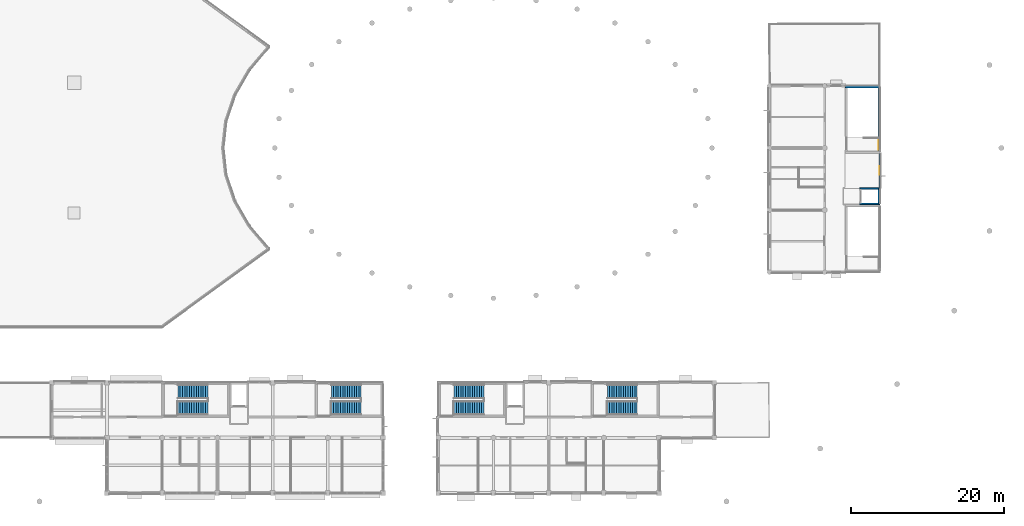
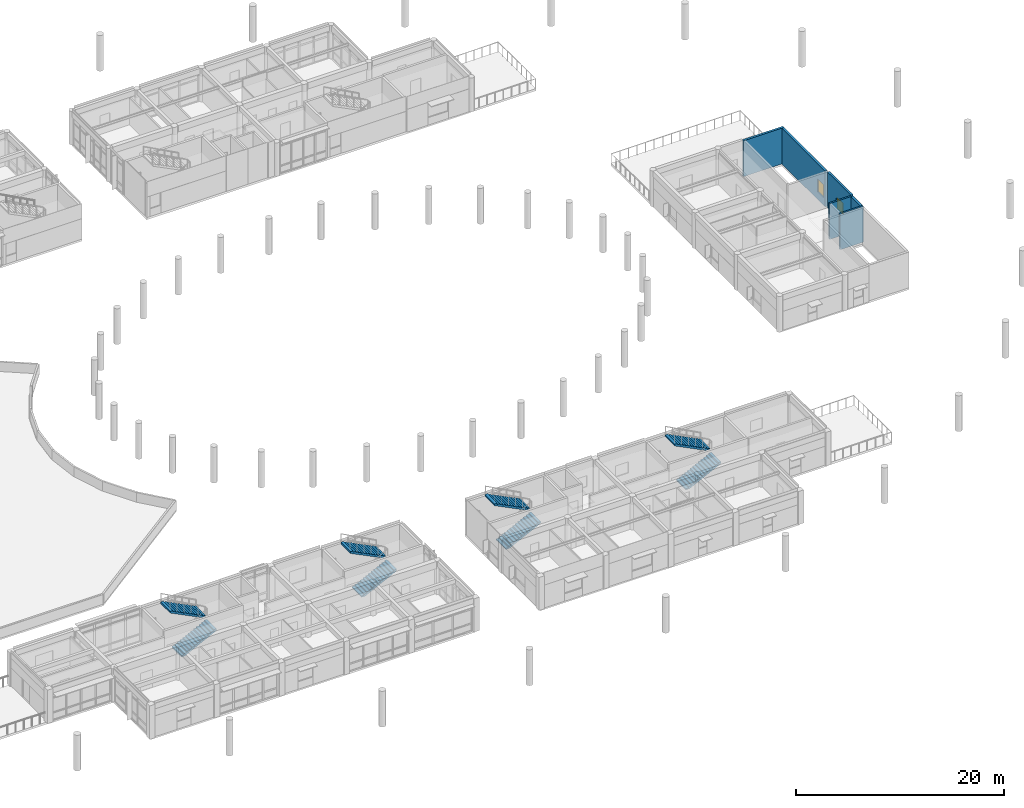
# One storey, part 30 of 55: 8 stair flights, 6 walls, 2 windows, 2 openings, 4 elements without a shape of their own.
"""IFC4 building model written with IfcOpenShell, lengths in metres."""

from ifc_helpers import new_model, si_unit, direction, frame, frame_2d, origin, place, context, subcontext, project, spatial, polyline, rectangle, outline, extrude, material, layer, layer_set, type_object, element, fill, aggregate, save


model = new_model("IFC4")

# Units and contexts
model_context = context("Model", 3, precision=1e-05, world=origin(), true_north=direction((0.0, 1.0)))
body_context = subcontext(model_context, "Body", "Model", "MODEL_VIEW")
ifc_project = project(units=[si_unit("LENGTHUNIT", "METRE"), si_unit("AREAUNIT", "SQUARE_METRE"), si_unit("VOLUMEUNIT", "CUBIC_METRE"), si_unit("PLANEANGLEUNIT", "RADIAN"), si_unit("MASSUNIT", "GRAM", prefix="KILO")], contexts=[model_context])

# Site, building, storey
site_placement = place(None, origin())
site = spatial("IfcSite", under=ifc_project, at=site_placement, CompositionType="ELEMENT")
building_placement = place(site_placement, origin())
building = spatial("IfcBuilding", under=site, at=building_placement, Name="Namkhue Oval Health Centre", CompositionType="ELEMENT")
storey_placement = place(building_placement, frame((0.0, 0.0, 9.60009765625)))
storey = spatial("IfcBuildingStorey", under=building, at=storey_placement, Name="L02", CompositionType="ELEMENT", Elevation=9.60009765625)

# Wall, opening, window
ifc_material_1 = material(Name="Autoclaved aerated concrete blockwork M7.5", Category="masonry")
ifc_layer_1 = layer(ifc_material_1, 0.239990234375)
ifc_layer_set_1 = layer_set([ifc_layer_1], Name="Autoclaved aerated concrete blockwork M7.5")
wall_type_1 = type_object("IfcWallType", Name="EXTERIOR ENVELOPE WALL 240", PredefinedType="STANDARD", material=ifc_layer_set_1)
wall_1_placement = place(storey_placement, frame((151.199951171875, 54.201904296875, 0.0), z_axis=(0.0, 0.0, 1.0), x_axis=(0.0, 1.0, 0.0)))
wall_1 = element("IfcWall", 1, at=wall_1_placement, inside=storey, type_object=wall_type_1, Name="Volume V6 L02 Exterior Envelope Wall 183", PredefinedType="STANDARD", context=body_context, shape_type="SweptSolid", body=[
    extrude(rectangle(XDim=4.49609375, YDim=0.239990234375, at=frame_2d((2.248046875, 0.0))), origin(), (0.0, 0.0, 1.0), 4.199951171875),
])
opening_1_placement = place(wall_1_placement, frame((1.673095703125, 0.0, 0.89990234375)))
opening_1 = element("IfcOpeningElement", 2, at=opening_1_placement, cuts=wall_1, Name="Opening WN-03", PredefinedType="OPENING", context=body_context, shape_type="SweptSolid", body=[
    extrude(rectangle(XDim=1.14990234375, YDim=1.300048828125, at=frame_2d((0.574951171875, 0.64990234375))), frame((0.0, 0.1298828125, 0.0), z_axis=(0.0, -1.0, 0.0), x_axis=(1.0, 0.0, 0.0)), (0.0, 0.0, 1.0), 0.260009765625),
])
ifc_material_2 = material(Name="Thermally broken low-E laminated double glazing", Category="glass")
window_type_1 = type_object("IfcWindowType", Name="EXTERIOR WINDOW 1150X1300", PartitioningType="SINGLE_PANEL", PredefinedType="WINDOW", material=ifc_material_2)
window_1_placement = place(opening_1_placement, origin())
window_1 = element("IfcWindow", 3, at=window_1_placement, inside=storey, type_object=window_type_1, Name="Volume V6 L02 Exterior Window 138", OverallHeight=1.300048828125, OverallWidth=1.14990234375, PartitioningType="SINGLE_PANEL", PredefinedType="WINDOW", context=body_context, shape_type="SweptSolid", body=[
    extrude(rectangle(XDim=1.14990234375, YDim=1.300048828125, at=frame_2d((0.574951171875, 0.64990234375))), frame((0.0, 0.030029296875, 0.0), z_axis=(0.0, -1.0, 0.0), x_axis=(1.0, 0.0, 0.0)), (0.0, 0.0, 1.0), 0.06005859375),
])
fill(opening_1, window_1)

ifc_material_3 = material(Name="Reinforced concrete C35/45 (TCVN B40)", Category="concrete")
ifc_layer_2 = layer(ifc_material_3, 0.25)
ifc_layer_set_2 = layer_set([ifc_layer_2], Name="Reinforced concrete C35/45 (TCVN B40)")
wall_type_2 = type_object("IfcWallType", Name="SHEAR CORE WALL EXT 250", PredefinedType="SHEAR", material=ifc_layer_set_2)
wall_2_placement = place(storey_placement, frame((151.074951171875, 58.949951171875, 0.0), z_axis=(0.0, 0.0, 1.0), x_axis=(0.0, 1.0, 0.0)))
wall_2 = element("IfcWall", 4, at=wall_2_placement, inside=storey, type_object=wall_type_2, Name="Core SC-12 L02 Shear Wall E", PredefinedType="SHEAR", context=body_context, shape_type="SweptSolid", body=[
    extrude(rectangle(XDim=8.300048828125, YDim=0.25, at=frame_2d((4.14990234375, 0.0))), origin(), (0.0, 0.0, 1.0), 4.199951171875),
])
opening_2_placement = place(wall_2_placement, frame((0.25, 0.0, 0.919921875)))
opening_2 = element("IfcOpeningElement", 5, at=opening_2_placement, cuts=wall_2, Name="Opening SWN-01", PredefinedType="OPENING", context=body_context, shape_type="SweptSolid", body=[
    extrude(rectangle(XDim=1.179931640625, YDim=1.47998046875, at=frame_2d((0.58984375, 0.739990234375))), frame((0.0, 0.135009765625, 0.0), z_axis=(0.0, -1.0, 0.0), x_axis=(1.0, 0.0, 0.0)), (0.0, 0.0, 1.0), 0.27001953125),
])
ifc_material_4 = material(Name="Fire-rated insulated safety double glazing", Category="glass")
window_type_2 = type_object("IfcWindowType", Name="EXTERIOR WINDOW STAIRWELL 1180X1480", PartitioningType="SINGLE_PANEL", PredefinedType="WINDOW", material=ifc_material_4)
window_2_placement = place(opening_2_placement, origin())
window_2 = element("IfcWindow", 6, at=window_2_placement, inside=storey, type_object=window_type_2, Name="Stair ST-12 L02 Stairwell Daylight Window", OverallHeight=1.47998046875, OverallWidth=1.179931640625, PartitioningType="SINGLE_PANEL", PredefinedType="WINDOW", context=body_context, shape_type="SweptSolid", body=[
    extrude(rectangle(XDim=1.179931640625, YDim=1.47998046875, at=frame_2d((0.58984375, 0.739990234375))), frame((0.0, 0.030029296875, 0.0), z_axis=(0.0, -1.0, 0.0), x_axis=(1.0, 0.0, 0.0)), (0.0, 0.0, 1.0), 0.06005859375),
])
fill(opening_2, window_2)

# Walls
wall_3_placement = place(storey_placement, frame((151.199951171875, 67.375, 0.0), z_axis=(0.0, 0.0, 1.0), x_axis=(-1.0, 0.0, 0.0)))
element("IfcWall", 7, at=wall_3_placement, inside=storey, type_object=wall_type_2, Name="Core SC-12 L02 Shear Wall N", PredefinedType="SHEAR", context=body_context, shape_type="SweptSolid", body=[
    extrude(rectangle(XDim=4.5, YDim=0.25, at=frame_2d((2.25, 0.0))), origin(), (0.0, 0.0, 1.0), 4.199951171875),
])
wall_4_placement = place(storey_placement, frame((151.10009765625, 52.199951171875, 0.0), z_axis=(0.0, 0.0, 1.0), x_axis=(0.0, 1.0, 0.0)))
element("IfcWall", 8, at=wall_4_placement, inside=storey, type_object=wall_type_2, Name="Lift LF-07 L02 Shaft Wall E", PredefinedType="SHEAR", context=body_context, shape_type="SweptSolid", body=[
    extrude(rectangle(XDim=1.800048828125, YDim=0.25, at=frame_2d((0.89990234375, 0.0))), origin(), (0.0, 0.0, 1.0), 4.199951171875),
])
ifc_layer_3 = layer(ifc_material_3, 0.199951171875)
ifc_layer_set_3 = layer_set([ifc_layer_3], Name="Reinforced concrete C35/45 (TCVN B40)")
wall_type_3 = type_object("IfcWallType", Name="SHEAR CORE WALL INT 200", PredefinedType="SHEAR", material=ifc_layer_set_3)
for number, where, z_axis, x_axis, name in (
    (9, (148.60009765625, 52.10009765625, 0.0), (0.0, 0.0, 1.0), (1.0, 0.0, 0.0), "Lift LF-07 L02 Shaft Wall S"),
    (10, (151.199951171875, 54.10009765625, 0.0), (0.0, 0.0, 1.0), (-1.0, 0.0, 0.0), "Lift LF-07 L02 Shaft Wall N"),
):
    element("IfcWall", number, at=place(storey_placement, frame(where, z_axis=z_axis, x_axis=x_axis)), inside=storey, type_object=wall_type_3, Name=name, PredefinedType="SHEAR", context=body_context, shape_type="SweptSolid", body=[
        extrude(rectangle(XDim=2.599853515625, YDim=0.199951171875, at=frame_2d((1.2998046875, 0.0))), origin(), (0.0, 0.0, 1.0), 4.199951171875),
    ])

# Stair, stair flights
ifc_material_5 = material(Name="Reinforced concrete C30/37 (TCVN B35)", Category="concrete")
stair_type = type_object("IfcStairType", Name="DOGLEG EXIT STAIR H4200", PredefinedType="HALF_TURN_STAIR", material=ifc_material_5)
stair_1_placement = place(storey_placement, origin())
stair_1 = element("IfcStair", 11, at=stair_1_placement, inside=storey, type_object=stair_type, Name="Protected Exit Stair ST-07 L02", PredefinedType="HALF_TURN_STAIR")
stair_flight_type = type_object("IfcStairFlightType", Name="STRAIGHT STAIR FLIGHT 1850", PredefinedType="STRAIGHT", material=ifc_material_5)
stair_flight_1_placement = place(storey_placement, frame((59.64990234375, 25.47509765625, 0.0), z_axis=(0.0, 0.0, 1.0), x_axis=(1.0, 0.0, 0.0)))
stair_flight_1 = element("IfcStairFlight", 12, at=stair_flight_1_placement, type_object=stair_flight_type, Name="ST-07 flight 1", NumberOfRisers=14, NumberOfTreads=13, PredefinedType="STRAIGHT", RiserHeight=0.15, TreadLength=0.3, context=body_context, shape_type="SweptSolid", body=[
    extrude(outline(polyline([(0.0, 0.0), (0.0, 0.14990234375), (0.300048828125, 0.14990234375), (0.300048828125, 0.300048828125), (0.60009765625, 0.300048828125), (0.60009765625, 0.449951171875), (0.89990234375, 0.449951171875), (0.89990234375, 0.60009765625), (1.199951171875, 0.60009765625), (1.199951171875, 0.75), (1.5, 0.75), (1.5, 0.89990234375), (1.800048828125, 0.89990234375), (1.800048828125, 1.050048828125), (2.10009765625, 1.050048828125), (2.10009765625, 1.199951171875), (2.39990234375, 1.199951171875), (2.39990234375, 1.35009765625), (2.699951171875, 1.35009765625), (2.699951171875, 1.5), (3.0, 1.5), (3.0, 1.64990234375), (3.300048828125, 1.64990234375), (3.300048828125, 1.800048828125), (3.60009765625, 1.800048828125), (3.60009765625, 1.949951171875), (3.89990234375, 1.949951171875), (3.89990234375, 2.10009765625), (3.89990234375, 1.748779296875), (0.40234375, 0.0), (0.0, 0.0)])), frame((0.0, 0.925048828125, 0.0), z_axis=(0.0, -1.0, 0.0), x_axis=(1.0, 0.0, 0.0)), (0.0, 0.0, 1.0), 1.85009765625),
])
stair_flight_2_placement = place(storey_placement, frame((63.550048828125, 27.625, 2.099853515625), z_axis=(0.0, 0.0, 1.0), x_axis=(-1.0, 0.0, 0.0)))
stair_flight_2 = element("IfcStairFlight", 13, at=stair_flight_2_placement, type_object=stair_flight_type, Name="ST-07 flight 2", NumberOfRisers=14, NumberOfTreads=13, PredefinedType="STRAIGHT", RiserHeight=0.15, TreadLength=0.3, context=body_context, shape_type="SweptSolid", body=[
    extrude(outline(polyline([(0.0, 0.0), (0.0, 0.14990234375), (0.300048828125, 0.14990234375), (0.300048828125, 0.300048828125), (0.60009765625, 0.300048828125), (0.60009765625, 0.449951171875), (0.89990234375, 0.449951171875), (0.89990234375, 0.60009765625), (1.199951171875, 0.60009765625), (1.199951171875, 0.75), (1.5, 0.75), (1.5, 0.89990234375), (1.800048828125, 0.89990234375), (1.800048828125, 1.050048828125), (2.10009765625, 1.050048828125), (2.10009765625, 1.199951171875), (2.39990234375, 1.199951171875), (2.39990234375, 1.35009765625), (2.699951171875, 1.35009765625), (2.699951171875, 1.5), (3.0, 1.5), (3.0, 1.64990234375), (3.300048828125, 1.64990234375), (3.300048828125, 1.800048828125), (3.60009765625, 1.800048828125), (3.60009765625, 1.949951171875), (3.89990234375, 1.949951171875), (3.89990234375, 2.10009765625), (3.89990234375, 1.748779296875), (0.40234375, 0.0), (0.0, 0.0)])), frame((0.0, 0.925048828125, 0.0), z_axis=(0.0, -1.0, 0.0), x_axis=(1.0, 0.0, 0.0)), (0.0, 0.0, 1.0), 1.85009765625),
])
aggregate(stair_1, [stair_flight_1, stair_flight_2])

stair_2_placement = place(storey_placement, origin())
stair_2 = element("IfcStair", 14, at=stair_2_placement, inside=storey, type_object=stair_type, Name="Protected Exit Stair ST-08 L02", PredefinedType="HALF_TURN_STAIR")
stair_flight_3_placement = place(storey_placement, frame((79.64990234375, 25.47509765625, 0.0), z_axis=(0.0, 0.0, 1.0), x_axis=(1.0, 0.0, 0.0)))
stair_flight_3 = element("IfcStairFlight", 15, at=stair_flight_3_placement, type_object=stair_flight_type, Name="ST-08 flight 1", NumberOfRisers=14, NumberOfTreads=13, PredefinedType="STRAIGHT", RiserHeight=0.15, TreadLength=0.3, context=body_context, shape_type="SweptSolid", body=[
    extrude(outline(polyline([(0.0, 0.0), (0.0, 0.14990234375), (0.300048828125, 0.14990234375), (0.300048828125, 0.300048828125), (0.60009765625, 0.300048828125), (0.60009765625, 0.449951171875), (0.89990234375, 0.449951171875), (0.89990234375, 0.60009765625), (1.199951171875, 0.60009765625), (1.199951171875, 0.75), (1.5, 0.75), (1.5, 0.89990234375), (1.800048828125, 0.89990234375), (1.800048828125, 1.050048828125), (2.10009765625, 1.050048828125), (2.10009765625, 1.199951171875), (2.39990234375, 1.199951171875), (2.39990234375, 1.35009765625), (2.699951171875, 1.35009765625), (2.699951171875, 1.5), (3.0, 1.5), (3.0, 1.64990234375), (3.300048828125, 1.64990234375), (3.300048828125, 1.800048828125), (3.60009765625, 1.800048828125), (3.60009765625, 1.949951171875), (3.89990234375, 1.949951171875), (3.89990234375, 2.10009765625), (3.89990234375, 1.748779296875), (0.40234375, 0.0), (0.0, 0.0)])), frame((0.0, 0.925048828125, 0.0), z_axis=(0.0, -1.0, 0.0), x_axis=(1.0, 0.0, 0.0)), (0.0, 0.0, 1.0), 1.85009765625),
])
stair_flight_4_placement = place(storey_placement, frame((83.550048828125, 27.625, 2.099853515625), z_axis=(0.0, 0.0, 1.0), x_axis=(-1.0, 0.0, 0.0)))
stair_flight_4 = element("IfcStairFlight", 16, at=stair_flight_4_placement, type_object=stair_flight_type, Name="ST-08 flight 2", NumberOfRisers=14, NumberOfTreads=13, PredefinedType="STRAIGHT", RiserHeight=0.15, TreadLength=0.3, context=body_context, shape_type="SweptSolid", body=[
    extrude(outline(polyline([(0.0, 0.0), (0.0, 0.14990234375), (0.300048828125, 0.14990234375), (0.300048828125, 0.300048828125), (0.60009765625, 0.300048828125), (0.60009765625, 0.449951171875), (0.89990234375, 0.449951171875), (0.89990234375, 0.60009765625), (1.199951171875, 0.60009765625), (1.199951171875, 0.75), (1.5, 0.75), (1.5, 0.89990234375), (1.800048828125, 0.89990234375), (1.800048828125, 1.050048828125), (2.10009765625, 1.050048828125), (2.10009765625, 1.199951171875), (2.39990234375, 1.199951171875), (2.39990234375, 1.35009765625), (2.699951171875, 1.35009765625), (2.699951171875, 1.5), (3.0, 1.5), (3.0, 1.64990234375), (3.300048828125, 1.64990234375), (3.300048828125, 1.800048828125), (3.60009765625, 1.800048828125), (3.60009765625, 1.949951171875), (3.89990234375, 1.949951171875), (3.89990234375, 2.10009765625), (3.89990234375, 1.748779296875), (0.40234375, 0.0), (0.0, 0.0)])), frame((0.0, 0.925048828125, 0.0), z_axis=(0.0, -1.0, 0.0), x_axis=(1.0, 0.0, 0.0)), (0.0, 0.0, 1.0), 1.85009765625),
])
aggregate(stair_2, [stair_flight_3, stair_flight_4])

stair_3_placement = place(storey_placement, origin())
stair_3 = element("IfcStair", 17, at=stair_3_placement, inside=storey, type_object=stair_type, Name="Protected Exit Stair ST-09 L02", PredefinedType="HALF_TURN_STAIR")
stair_flight_5_placement = place(storey_placement, frame((95.64990234375, 25.47509765625, 0.0), z_axis=(0.0, 0.0, 1.0), x_axis=(1.0, 0.0, 0.0)))
stair_flight_5 = element("IfcStairFlight", 18, at=stair_flight_5_placement, type_object=stair_flight_type, Name="ST-09 flight 1", NumberOfRisers=14, NumberOfTreads=13, PredefinedType="STRAIGHT", RiserHeight=0.15, TreadLength=0.3, context=body_context, shape_type="SweptSolid", body=[
    extrude(outline(polyline([(0.0, 0.0), (0.0, 0.14990234375), (0.300048828125, 0.14990234375), (0.300048828125, 0.300048828125), (0.60009765625, 0.300048828125), (0.60009765625, 0.449951171875), (0.89990234375, 0.449951171875), (0.89990234375, 0.60009765625), (1.199951171875, 0.60009765625), (1.199951171875, 0.75), (1.5, 0.75), (1.5, 0.89990234375), (1.800048828125, 0.89990234375), (1.800048828125, 1.050048828125), (2.10009765625, 1.050048828125), (2.10009765625, 1.199951171875), (2.39990234375, 1.199951171875), (2.39990234375, 1.35009765625), (2.699951171875, 1.35009765625), (2.699951171875, 1.5), (3.0, 1.5), (3.0, 1.64990234375), (3.300048828125, 1.64990234375), (3.300048828125, 1.800048828125), (3.60009765625, 1.800048828125), (3.60009765625, 1.949951171875), (3.89990234375, 1.949951171875), (3.89990234375, 2.10009765625), (3.89990234375, 1.748779296875), (0.40234375, 0.0), (0.0, 0.0)])), frame((0.0, 0.925048828125, 0.0), z_axis=(0.0, -1.0, 0.0), x_axis=(1.0, 0.0, 0.0)), (0.0, 0.0, 1.0), 1.85009765625),
])
stair_flight_6_placement = place(storey_placement, frame((99.550048828125, 27.625, 2.099853515625), z_axis=(0.0, 0.0, 1.0), x_axis=(-1.0, 0.0, 0.0)))
stair_flight_6 = element("IfcStairFlight", 19, at=stair_flight_6_placement, type_object=stair_flight_type, Name="ST-09 flight 2", NumberOfRisers=14, NumberOfTreads=13, PredefinedType="STRAIGHT", RiserHeight=0.15, TreadLength=0.3, context=body_context, shape_type="SweptSolid", body=[
    extrude(outline(polyline([(0.0, 0.0), (0.0, 0.14990234375), (0.300048828125, 0.14990234375), (0.300048828125, 0.300048828125), (0.60009765625, 0.300048828125), (0.60009765625, 0.449951171875), (0.89990234375, 0.449951171875), (0.89990234375, 0.60009765625), (1.199951171875, 0.60009765625), (1.199951171875, 0.75), (1.5, 0.75), (1.5, 0.89990234375), (1.800048828125, 0.89990234375), (1.800048828125, 1.050048828125), (2.10009765625, 1.050048828125), (2.10009765625, 1.199951171875), (2.39990234375, 1.199951171875), (2.39990234375, 1.35009765625), (2.699951171875, 1.35009765625), (2.699951171875, 1.5), (3.0, 1.5), (3.0, 1.64990234375), (3.300048828125, 1.64990234375), (3.300048828125, 1.800048828125), (3.60009765625, 1.800048828125), (3.60009765625, 1.949951171875), (3.89990234375, 1.949951171875), (3.89990234375, 2.10009765625), (3.89990234375, 1.748779296875), (0.40234375, 0.0), (0.0, 0.0)])), frame((0.0, 0.925048828125, 0.0), z_axis=(0.0, -1.0, 0.0), x_axis=(1.0, 0.0, 0.0)), (0.0, 0.0, 1.0), 1.85009765625),
])
aggregate(stair_3, [stair_flight_5, stair_flight_6])

stair_4_placement = place(storey_placement, origin())
stair_4 = element("IfcStair", 20, at=stair_4_placement, inside=storey, type_object=stair_type, Name="Protected Exit Stair ST-10 L02", PredefinedType="HALF_TURN_STAIR")
stair_flight_7_placement = place(storey_placement, frame((115.64990234375, 25.47509765625, 0.0), z_axis=(0.0, 0.0, 1.0), x_axis=(1.0, 0.0, 0.0)))
stair_flight_7 = element("IfcStairFlight", 21, at=stair_flight_7_placement, type_object=stair_flight_type, Name="ST-10 flight 1", NumberOfRisers=14, NumberOfTreads=13, PredefinedType="STRAIGHT", RiserHeight=0.15, TreadLength=0.3, context=body_context, shape_type="SweptSolid", body=[
    extrude(outline(polyline([(0.0, 0.0), (0.0, 0.14990234375), (0.300048828125, 0.14990234375), (0.300048828125, 0.300048828125), (0.60009765625, 0.300048828125), (0.60009765625, 0.449951171875), (0.89990234375, 0.449951171875), (0.89990234375, 0.60009765625), (1.199951171875, 0.60009765625), (1.199951171875, 0.75), (1.5, 0.75), (1.5, 0.89990234375), (1.800048828125, 0.89990234375), (1.800048828125, 1.050048828125), (2.10009765625, 1.050048828125), (2.10009765625, 1.199951171875), (2.39990234375, 1.199951171875), (2.39990234375, 1.35009765625), (2.699951171875, 1.35009765625), (2.699951171875, 1.5), (3.0, 1.5), (3.0, 1.64990234375), (3.300048828125, 1.64990234375), (3.300048828125, 1.800048828125), (3.60009765625, 1.800048828125), (3.60009765625, 1.949951171875), (3.89990234375, 1.949951171875), (3.89990234375, 2.10009765625), (3.89990234375, 1.748779296875), (0.40234375, 0.0), (0.0, 0.0)])), frame((0.0, 0.925048828125, 0.0), z_axis=(0.0, -1.0, 0.0), x_axis=(1.0, 0.0, 0.0)), (0.0, 0.0, 1.0), 1.85009765625),
])
stair_flight_8_placement = place(storey_placement, frame((119.550048828125, 27.625, 2.099853515625), z_axis=(0.0, 0.0, 1.0), x_axis=(-1.0, 0.0, 0.0)))
stair_flight_8 = element("IfcStairFlight", 22, at=stair_flight_8_placement, type_object=stair_flight_type, Name="ST-10 flight 2", NumberOfRisers=14, NumberOfTreads=13, PredefinedType="STRAIGHT", RiserHeight=0.15, TreadLength=0.3, context=body_context, shape_type="SweptSolid", body=[
    extrude(outline(polyline([(0.0, 0.0), (0.0, 0.14990234375), (0.300048828125, 0.14990234375), (0.300048828125, 0.300048828125), (0.60009765625, 0.300048828125), (0.60009765625, 0.449951171875), (0.89990234375, 0.449951171875), (0.89990234375, 0.60009765625), (1.199951171875, 0.60009765625), (1.199951171875, 0.75), (1.5, 0.75), (1.5, 0.89990234375), (1.800048828125, 0.89990234375), (1.800048828125, 1.050048828125), (2.10009765625, 1.050048828125), (2.10009765625, 1.199951171875), (2.39990234375, 1.199951171875), (2.39990234375, 1.35009765625), (2.699951171875, 1.35009765625), (2.699951171875, 1.5), (3.0, 1.5), (3.0, 1.64990234375), (3.300048828125, 1.64990234375), (3.300048828125, 1.800048828125), (3.60009765625, 1.800048828125), (3.60009765625, 1.949951171875), (3.89990234375, 1.949951171875), (3.89990234375, 2.10009765625), (3.89990234375, 1.748779296875), (0.40234375, 0.0), (0.0, 0.0)])), frame((0.0, 0.925048828125, 0.0), z_axis=(0.0, -1.0, 0.0), x_axis=(1.0, 0.0, 0.0)), (0.0, 0.0, 1.0), 1.85009765625),
])
aggregate(stair_4, [stair_flight_7, stair_flight_8])

save(model, "model.ifc")
